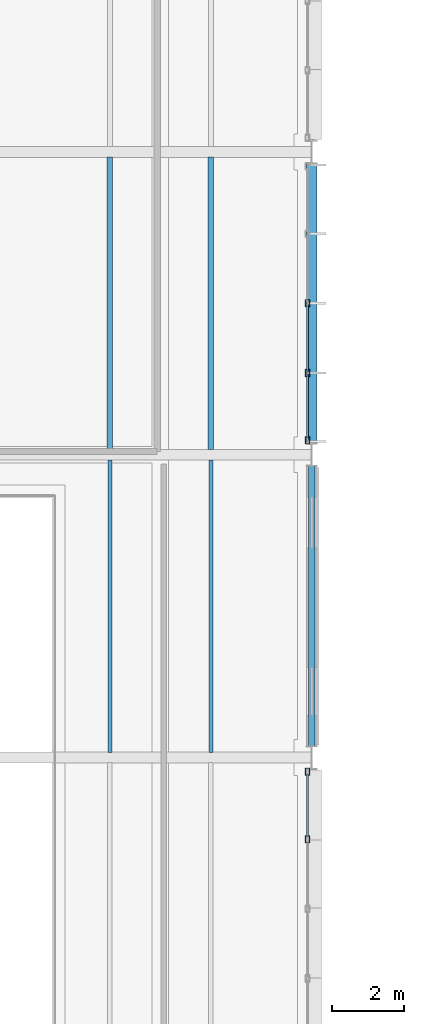
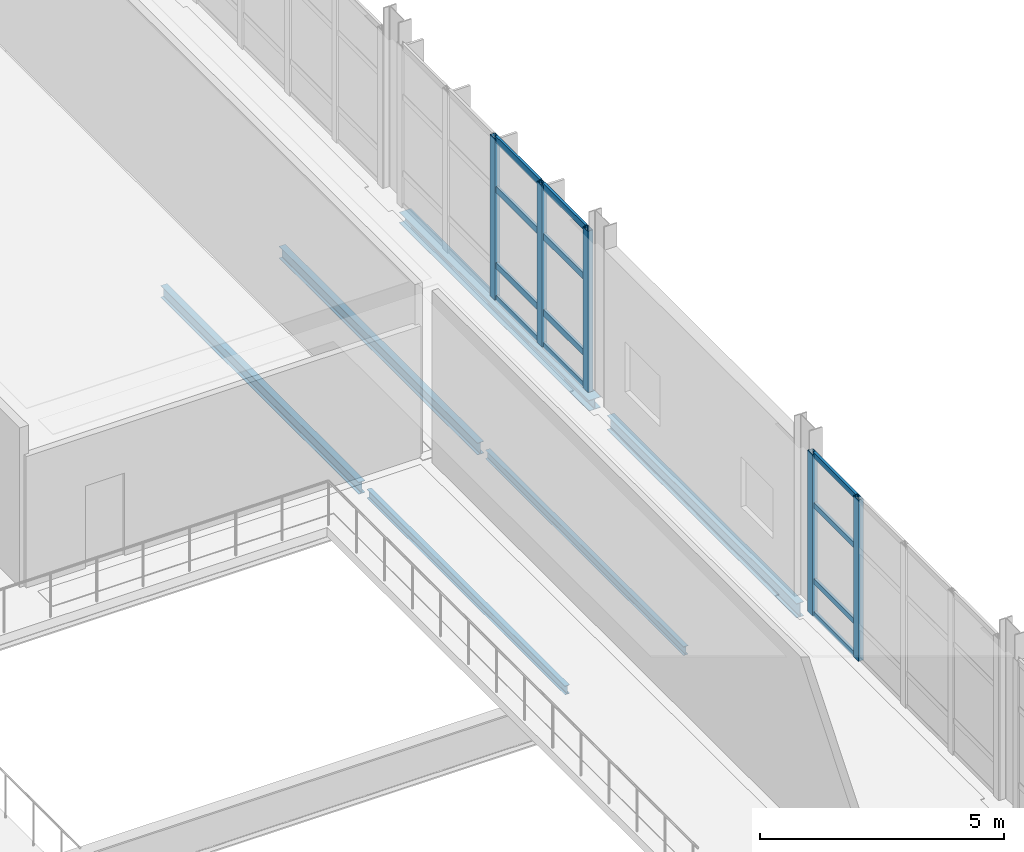
# One storey, part 47 of 129: 17 members, 6 beams, 2 elements without a shape of their own.
"""IFC4 building model written with IfcOpenShell, lengths in metres."""

import ifcopenshell
import ifcopenshell.guid

model = None  # the IFC model being written
_history = None  # IfcOwnerHistory: only IFC2X3 demands one
_inside = {}  # id of a spatial element -> (the spatial element, [elements in it])
_under = {}  # id of a project, library or spatial element -> (it, [spatial elements below it])
_declared = {}  # id of a project -> (the project, [libraries it declares])
_typed = {}  # id of a type object -> (the type object, [elements of that type])
_made_of = {}  # id of a material, layer set ... -> (it, [elements and type objects made of it])


def new_model(schema):
    """Start an empty IFC model of exactly this schema.

    Asked for "IFC4X3", IfcOpenShell would pick the latest addendum, in which some entities
    have other attributes; the version numbers below select the first issue.
    IFC2X3 requires an IfcOwnerHistory on every rooted entity: one is made here for all.
    """
    global model, _history
    if schema == "IFC4X3":
        model = ifcopenshell.file(schema_version=(4, 3, 0, 0))
    else:
        model = ifcopenshell.file(schema=schema)
    _inside.clear()
    _under.clear()
    _declared.clear()
    _typed.clear()
    _made_of.clear()
    _history = None
    if model.schema == "IFC2X3":
        org = make("IfcOrganization", Name="unknown")
        user = make(
            "IfcPersonAndOrganization",
            ThePerson=make("IfcPerson", FamilyName="unknown"),
            TheOrganization=org,
        )
        app = make(
            "IfcApplication",
            ApplicationDeveloper=org,
            Version="unknown",
            ApplicationFullName="unknown",
            ApplicationIdentifier="unknown",
        )
        _history = make(
            "IfcOwnerHistory",
            OwningUser=user,
            OwningApplication=app,
            ChangeAction="ADDED",
            CreationDate=0,
        )
    return model


def make(cls, **values):
    """One entity of the class cls with the attributes given. An attribute that is None is left unset."""
    return model.create_entity(
        cls, **{name: value for name, value in values.items() if value is not None}
    )


def rooted(cls, **values):
    """An entity with a GlobalId (a new one), such as an element, a storey or a relation."""
    return make(cls, GlobalId=ifcopenshell.guid.new(), OwnerHistory=_history, **values)


def si_unit(unit_type, name, prefix=None):
    """IfcSIUnit, for example si_unit("LENGTHUNIT", "METRE", prefix="MILLI")."""
    return make("IfcSIUnit", UnitType=unit_type, Prefix=prefix, Name=name)


def assignment(units):
    """IfcUnitAssignment: the units of a project."""
    return None if units is None else make("IfcUnitAssignment", Units=units)


def point(xyz):
    """IfcCartesianPoint."""
    return None if xyz is None else make("IfcCartesianPoint", Coordinates=xyz)


def direction(xyz):
    """IfcDirection."""
    return None if xyz is None else make("IfcDirection", DirectionRatios=xyz)


def frame(location, z_axis=None, x_axis=None):
    """IfcAxis2Placement3D, a coordinate frame: its origin and axes. An axis left out is left unset."""
    return make(
        "IfcAxis2Placement3D",
        Location=point(location),
        Axis=direction(z_axis),
        RefDirection=direction(x_axis),
    )


def frame_2d(location, x_axis=None):
    """IfcAxis2Placement2D, a coordinate frame in the plane: its origin and x axis."""
    return make(
        "IfcAxis2Placement2D", Location=point(location), RefDirection=direction(x_axis)
    )


def origin():
    """The frame at (0, 0, 0) with its axes left unset."""
    return frame((0.0, 0.0, 0.0))


def origin_2d():
    """The frame at (0, 0) in the plane with its x axis left unset."""
    return frame_2d((0.0, 0.0))


def place(relative_to, where):
    """IfcLocalPlacement: puts the frame where relative to a parent placement (None: the world)."""
    return make(
        "IfcLocalPlacement", PlacementRelTo=relative_to, RelativePlacement=where
    )


def context(
    kind, dimensions, precision=None, world=None, true_north=None, identifier=None
):
    """IfcGeometricRepresentationContext, for example the 3D "Model" context."""
    return make(
        "IfcGeometricRepresentationContext",
        ContextIdentifier=identifier,
        ContextType=kind,
        CoordinateSpaceDimension=dimensions,
        Precision=precision,
        WorldCoordinateSystem=world,
        TrueNorth=true_north,
    )


def subcontext(parent, identifier, kind, view, scale=None):
    """IfcGeometricRepresentationSubContext, for example "Body" below "Model"."""
    return make(
        "IfcGeometricRepresentationSubContext",
        ContextIdentifier=identifier,
        ContextType=kind,
        ParentContext=parent,
        TargetScale=scale,
        TargetView=view,
    )


def project(units=None, contexts=None):
    """IfcProject with its units and contexts."""
    return rooted(
        "IfcProject",
        Name="project",
        RepresentationContexts=contexts,
        UnitsInContext=assignment(units),
    )


def spatial(cls, under=None, at=None, **own):
    """A site, building, storey or space (cls), placed at a placement, below another one or the project."""
    s = rooted(cls, ObjectPlacement=at, **own)
    if under is not None:
        _under.setdefault(under.id(), (under, []))[1].append(s)
    return s


def profile(cls, at=None, kind="AREA", **sizes):
    """A parametric profile (cls). Its sizes go by their IFC names, for example OverallWidth=200.0."""
    return make(cls, ProfileType=kind, Position=at, **sizes)


def hollow_rectangle(**sizes):
    """IfcRectangleHollowProfileDef."""
    return profile("IfcRectangleHollowProfileDef", **sizes)


def i_section(**sizes):
    """IfcIShapeProfileDef."""
    return profile("IfcIShapeProfileDef", **sizes)


def extrude(swept, where, along, depth):
    """IfcExtrudedAreaSolid: the profile swept, set in the frame where, extruded along a direction by depth."""
    return make(
        "IfcExtrudedAreaSolid",
        SweptArea=swept,
        Position=where,
        ExtrudedDirection=direction(along),
        Depth=depth,
    )


def shape(context_of_items, identifier, shape_type, items):
    """IfcShapeRepresentation: the items that make up one representation, for example the "Body"."""
    return make(
        "IfcShapeRepresentation",
        ContextOfItems=context_of_items,
        RepresentationIdentifier=identifier,
        RepresentationType=shape_type,
        Items=items,
    )


def material(Name=None, Category=None):
    """IfcMaterial."""
    return make("IfcMaterial", Name=Name, Category=Category)


def material_profile(
    of_material, cross_section, Name=None, Category=None, Priority=None
):
    """IfcMaterialProfile: a cross section and its material."""
    return make(
        "IfcMaterialProfile",
        Name=Name,
        Material=of_material,
        Profile=cross_section,
        Priority=Priority,
        Category=Category,
    )


def profile_set(profiles, Name=None, composite=None):
    """IfcMaterialProfileSet."""
    return make(
        "IfcMaterialProfileSet",
        Name=Name,
        MaterialProfiles=profiles,
        CompositeProfile=composite,
    )


def made_of(thing, what):
    """Note that an element or type object is made of a material, layer set ...; save() writes the relation."""
    if what is not None:
        _made_of.setdefault(what.id(), (what, []))[1].append(thing)
    return thing


def type_object(cls, material=None, **own):
    """A type object (cls), such as IfcWallType, which elements share."""
    return made_of(rooted(cls, **own), material)


def element(
    cls,
    number,
    at=None,
    inside=None,
    cuts=None,
    type_object=None,
    material=None,
    context=None,
    identifier="Body",
    shape_type=None,
    held_by="IfcProductDefinitionShape",
    body=None,
    shapes=None,
    **own,
):
    """One element of the class cls, such as IfcWall. Its Tag is "e" and its number.

    at: its placement. inside: the storey or other place that contains it. cuts: it is an
    opening in that element (IfcRelVoidsElement). A single representation is given by context,
    identifier, shape_type and body (its items); several are given by shapes. held_by: the class
    of the entity that holds the representations. save() writes the other relations.
    """
    e = rooted(cls, Tag="e%d" % number, ObjectPlacement=at, **own)
    if body is not None:
        shapes = [shape(context, identifier, shape_type, body)]
    if shapes is not None:
        e.Representation = make(held_by, Representations=shapes)
    if inside is not None:
        _inside.setdefault(inside.id(), (inside, []))[1].append(e)
    if cuts is not None:
        rooted(
            "IfcRelVoidsElement", RelatingBuildingElement=cuts, RelatedOpeningElement=e
        )
    if type_object is not None:
        _typed.setdefault(type_object.id(), (type_object, []))[1].append(e)
    return made_of(e, material)


def aggregate(whole, parts):
    """IfcRelAggregates: a whole, such as a stair, and the parts it consists of."""
    return rooted("IfcRelAggregates", RelatingObject=whole, RelatedObjects=parts)


def save(model, path):
    """Write the relations noted so far, then the file.

    IfcRelAggregates (storeys below a building ...), IfcRelContainedInSpatialStructure (elements
    in a storey), IfcRelDefinesByType, IfcRelAssociatesMaterial and IfcRelDeclares: one each for
    every whole, place, type object, material and project.
    """
    for whole, parts in _under.values():
        aggregate(whole, parts)
    for where, things in _inside.values():
        rooted(
            "IfcRelContainedInSpatialStructure",
            RelatedElements=things,
            RelatingStructure=where,
        )
    for kind, things in _typed.values():
        rooted("IfcRelDefinesByType", RelatedObjects=things, RelatingType=kind)
    for what, things in _made_of.values():
        rooted("IfcRelAssociatesMaterial", RelatedObjects=things, RelatingMaterial=what)
    for by, libraries in _declared.values():
        rooted("IfcRelDeclares", RelatingContext=by, RelatedDefinitions=libraries)
    model.write(path)


model = new_model("IFC4")

# Units and contexts
model_context = context("Model", 3, precision=1e-05, world=origin(), true_north=direction((0.0, 1.0)))
body_context = subcontext(model_context, "Body", "Model", "MODEL_VIEW")
ifc_project = project(units=[si_unit("LENGTHUNIT", "METRE"), si_unit("AREAUNIT", "SQUARE_METRE"), si_unit("VOLUMEUNIT", "CUBIC_METRE"), si_unit("PLANEANGLEUNIT", "RADIAN"), si_unit("MASSUNIT", "GRAM", prefix="KILO")], contexts=[model_context])

# Site, building, storey
site_placement = place(None, origin())
site = spatial("IfcSite", under=ifc_project, at=site_placement, CompositionType="ELEMENT")
building_placement = place(site_placement, origin())
building = spatial("IfcBuilding", under=site, at=building_placement, Name="Mersafa Astral City Hall", CompositionType="ELEMENT")
storey_placement = place(building_placement, frame((0.0, 0.0, 5.39990234375)))
storey = spatial("IfcBuildingStorey", under=building, at=storey_placement, Name="L01", CompositionType="ELEMENT", Elevation=5.39990234375)

# Curtain wall, members
ifc_material_1 = material(Name="Anodised bronze aluminium framing", Category="aluminium")
curtain_wall_type_1 = type_object("IfcCurtainWallType", Name="ENV-CW-2", PredefinedType="USERDEFINED", material=ifc_material_1)
curtain_wall_1_placement = place(storey_placement, origin())
curtain_wall_1 = element("IfcCurtainWall", 1, at=curtain_wall_1_placement, inside=storey, type_object=curtain_wall_type_1, Name="L01 Unitised solar curtain wall 55", ObjectType="UNITISED CURTAIN WALL", PredefinedType="USERDEFINED")
ifc_material_profile_1 = material_profile(ifc_material_1, hollow_rectangle(XDim=0.1201171875, YDim=0.199951171875, WallThickness=0.008056640625, at=origin_2d()), Name="RHS 120x200x8")
ifc_profile_set_1 = profile_set([ifc_material_profile_1], Name="Anodised bronze aluminium framing")
member_type_1 = type_object("IfcMemberType", Name="ENV-CW-MUL-2", PredefinedType="MULLION", material=ifc_profile_set_1)
member_1_placement = place(storey_placement, frame((117.47998046875, 64.931396484375, -0.001953125), z_axis=(0.0, 0.0, 1.0), x_axis=(-1.0, 0.0, 0.0)))
member_1 = element("IfcMember", 2, at=member_1_placement, type_object=member_type_1, Name="CW-2 mullion 4", PredefinedType="MULLION", context=body_context, shape_type="SweptSolid", body=[
    extrude(hollow_rectangle(XDim=0.1201171875, YDim=0.199951171875, WallThickness=0.008056640625, at=origin_2d()), origin(), (0.0, 0.0, 1.0), 4.029052734375),
])
member_2_placement = place(storey_placement, frame((117.47998046875, 66.802978515625, -0.001953125), z_axis=(0.0, 0.0, 1.0), x_axis=(-1.0, 0.0, 0.0)))
member_2 = element("IfcMember", 3, at=member_2_placement, type_object=member_type_1, Name="CW-2 mullion 5", PredefinedType="MULLION", context=body_context, shape_type="SweptSolid", body=[
    extrude(hollow_rectangle(XDim=0.1201171875, YDim=0.199951171875, WallThickness=0.008056640625, at=origin_2d()), origin(), (0.0, 0.0, 1.0), 4.029052734375),
])

curtain_wall_type_2 = type_object("IfcCurtainWallType", Name="ENV-CW-3", PredefinedType="USERDEFINED", material=ifc_material_1)
curtain_wall_2_placement = place(storey_placement, origin())
curtain_wall_2 = element("IfcCurtainWall", 4, at=curtain_wall_2_placement, inside=storey, type_object=curtain_wall_type_2, Name="L01 Unitised solar curtain wall 56", ObjectType="UNITISED CURTAIN WALL", PredefinedType="USERDEFINED")
member_3_placement = place(storey_placement, frame((117.47998046875, 75.9970703125, -0.001953125), z_axis=(0.0, 0.0, 1.0), x_axis=(-1.0, 0.0, 0.0)))
member_3 = element("IfcMember", 5, at=member_3_placement, type_object=member_type_1, Name="CW-3 mullion 1", PredefinedType="MULLION", context=body_context, shape_type="SweptSolid", body=[
    extrude(hollow_rectangle(XDim=0.1201171875, YDim=0.199951171875, WallThickness=0.008056640625, at=origin_2d()), origin(), (0.0, 0.0, 1.0), 4.029052734375),
])
member_4_placement = place(storey_placement, frame((117.47998046875, 77.868408203125, -0.001953125), z_axis=(0.0, 0.0, 1.0), x_axis=(-1.0, 0.0, 0.0)))
member_4 = element("IfcMember", 6, at=member_4_placement, type_object=member_type_1, Name="CW-3 mullion 2", PredefinedType="MULLION", context=body_context, shape_type="SweptSolid", body=[
    extrude(hollow_rectangle(XDim=0.1201171875, YDim=0.199951171875, WallThickness=0.008056640625, at=origin_2d()), origin(), (0.0, 0.0, 1.0), 4.029052734375),
])
member_5_placement = place(storey_placement, frame((117.47998046875, 79.800048828125, -0.001953125), z_axis=(0.0, 0.0, 1.0), x_axis=(-1.0, 0.0, 0.0)))
member_5 = element("IfcMember", 7, at=member_5_placement, type_object=member_type_1, Name="CW-3 mullion 3", PredefinedType="MULLION", context=body_context, shape_type="SweptSolid", body=[
    extrude(hollow_rectangle(XDim=0.1201171875, YDim=0.199951171875, WallThickness=0.008056640625, at=origin_2d()), origin(), (0.0, 0.0, 1.0), 4.029052734375),
])

# Member
ifc_material_profile_2 = material_profile(ifc_material_1, hollow_rectangle(XDim=0.06005859375, YDim=0.139892578125, WallThickness=0.00390625, at=origin_2d()), Name="RHS 60x140x4")
ifc_profile_set_2 = profile_set([ifc_material_profile_2], Name="Anodised bronze aluminium framing")
member_type_2 = type_object("IfcMemberType", Name="ENV-CW-TRN-1", PredefinedType="USERDEFINED", material=ifc_profile_set_2)
member_6_placement = place(storey_placement, frame((117.47998046875, 64.991455078125, 0.028076171875), z_axis=(0.0, 1.0, 0.0), x_axis=(-1.0, 0.0, 0.0)))
member_6 = element("IfcMember", 8, at=member_6_placement, type_object=member_type_2, Name="CW-2 transom 4.1", ObjectType="TRANSOM", PredefinedType="USERDEFINED", context=body_context, shape_type="SweptSolid", body=[
    extrude(hollow_rectangle(XDim=0.06005859375, YDim=0.139892578125, WallThickness=0.00390625, at=origin_2d()), origin(), (0.0, 0.0, 1.0), 1.75146484375),
])

member_7_placement = place(storey_placement, frame((117.47998046875, 64.991455078125, 0.85009765625), z_axis=(0.0, 1.0, 0.0), x_axis=(-1.0, 0.0, 0.0)))
member_7 = element("IfcMember", 9, at=member_7_placement, type_object=member_type_2, Name="CW-2 transom 4.2", ObjectType="TRANSOM", PredefinedType="USERDEFINED", context=body_context, shape_type="SweptSolid", body=[
    extrude(hollow_rectangle(XDim=0.06005859375, YDim=0.139892578125, WallThickness=0.00390625, at=origin_2d()), origin(), (0.0, 0.0, 1.0), 1.75146484375),
])

member_8_placement = place(storey_placement, frame((117.47998046875, 64.991455078125, 2.75), z_axis=(0.0, 1.0, 0.0), x_axis=(-1.0, 0.0, 0.0)))
member_8 = element("IfcMember", 10, at=member_8_placement, type_object=member_type_2, Name="CW-2 transom 4.3", ObjectType="TRANSOM", PredefinedType="USERDEFINED", context=body_context, shape_type="SweptSolid", body=[
    extrude(hollow_rectangle(XDim=0.06005859375, YDim=0.139892578125, WallThickness=0.00390625, at=origin_2d()), origin(), (0.0, 0.0, 1.0), 1.75146484375),
])

member_9_placement = place(storey_placement, frame((117.47998046875, 64.991455078125, 3.9970703125), z_axis=(0.0, 1.0, 0.0), x_axis=(-1.0, 0.0, 0.0)))
member_9 = element("IfcMember", 11, at=member_9_placement, type_object=member_type_2, Name="CW-2 transom 4.4", ObjectType="TRANSOM", PredefinedType="USERDEFINED", context=body_context, shape_type="SweptSolid", body=[
    extrude(hollow_rectangle(XDim=0.06005859375, YDim=0.139892578125, WallThickness=0.00390625, at=origin_2d()), origin(), (0.0, 0.0, 1.0), 1.75146484375),
])

aggregate(curtain_wall_1, [member_1, member_2, member_6, member_7, member_8, member_9])

ifc_material_profile_3 = material_profile(ifc_material_1, hollow_rectangle(XDim=0.06005859375, YDim=0.159912109375, WallThickness=0.00390625, at=origin_2d()), Name="RHS 60x160x4")
ifc_profile_set_3 = profile_set([ifc_material_profile_3], Name="Anodised bronze aluminium framing")
member_type_3 = type_object("IfcMemberType", Name="ENV-CW-TRN-2", PredefinedType="USERDEFINED", material=ifc_profile_set_3)
member_10_placement = place(storey_placement, frame((117.47998046875, 76.056884765625, 0.028076171875), z_axis=(0.0, 1.0, 0.0), x_axis=(-1.0, 0.0, 0.0)))
member_10 = element("IfcMember", 12, at=member_10_placement, type_object=member_type_3, Name="CW-3 transom 1.1", ObjectType="TRANSOM", PredefinedType="USERDEFINED", context=body_context, shape_type="SweptSolid", body=[
    extrude(hollow_rectangle(XDim=0.06005859375, YDim=0.159912109375, WallThickness=0.00390625, at=origin_2d()), origin(), (0.0, 0.0, 1.0), 1.751708984375),
])

member_11_placement = place(storey_placement, frame((117.47998046875, 76.056884765625, 0.85009765625), z_axis=(0.0, 1.0, 0.0), x_axis=(-1.0, 0.0, 0.0)))
member_11 = element("IfcMember", 13, at=member_11_placement, type_object=member_type_3, Name="CW-3 transom 1.2", ObjectType="TRANSOM", PredefinedType="USERDEFINED", context=body_context, shape_type="SweptSolid", body=[
    extrude(hollow_rectangle(XDim=0.06005859375, YDim=0.159912109375, WallThickness=0.00390625, at=origin_2d()), origin(), (0.0, 0.0, 1.0), 1.751708984375),
])

member_12_placement = place(storey_placement, frame((117.47998046875, 76.056884765625, 2.75), z_axis=(0.0, 1.0, 0.0), x_axis=(-1.0, 0.0, 0.0)))
member_12 = element("IfcMember", 14, at=member_12_placement, type_object=member_type_3, Name="CW-3 transom 1.3", ObjectType="TRANSOM", PredefinedType="USERDEFINED", context=body_context, shape_type="SweptSolid", body=[
    extrude(hollow_rectangle(XDim=0.06005859375, YDim=0.159912109375, WallThickness=0.00390625, at=origin_2d()), origin(), (0.0, 0.0, 1.0), 1.751708984375),
])

member_13_placement = place(storey_placement, frame((117.47998046875, 76.056884765625, 3.9970703125), z_axis=(0.0, 1.0, 0.0), x_axis=(-1.0, 0.0, 0.0)))
member_13 = element("IfcMember", 15, at=member_13_placement, type_object=member_type_3, Name="CW-3 transom 1.4", ObjectType="TRANSOM", PredefinedType="USERDEFINED", context=body_context, shape_type="SweptSolid", body=[
    extrude(hollow_rectangle(XDim=0.06005859375, YDim=0.159912109375, WallThickness=0.00390625, at=origin_2d()), origin(), (0.0, 0.0, 1.0), 1.751708984375),
])

member_14_placement = place(storey_placement, frame((117.47998046875, 77.928466796875, 0.028076171875), z_axis=(0.0, 1.0, 0.0), x_axis=(-1.0, 0.0, 0.0)))
member_14 = element("IfcMember", 16, at=member_14_placement, type_object=member_type_3, Name="CW-3 transom 2.1", ObjectType="TRANSOM", PredefinedType="USERDEFINED", context=body_context, shape_type="SweptSolid", body=[
    extrude(hollow_rectangle(XDim=0.06005859375, YDim=0.159912109375, WallThickness=0.00390625, at=origin_2d()), origin(), (0.0, 0.0, 1.0), 1.8115234375),
])

member_15_placement = place(storey_placement, frame((117.47998046875, 77.928466796875, 0.85009765625), z_axis=(0.0, 1.0, 0.0), x_axis=(-1.0, 0.0, 0.0)))
member_15 = element("IfcMember", 17, at=member_15_placement, type_object=member_type_3, Name="CW-3 transom 2.2", ObjectType="TRANSOM", PredefinedType="USERDEFINED", context=body_context, shape_type="SweptSolid", body=[
    extrude(hollow_rectangle(XDim=0.06005859375, YDim=0.159912109375, WallThickness=0.00390625, at=origin_2d()), origin(), (0.0, 0.0, 1.0), 1.8115234375),
])

member_16_placement = place(storey_placement, frame((117.47998046875, 77.928466796875, 2.75), z_axis=(0.0, 1.0, 0.0), x_axis=(-1.0, 0.0, 0.0)))
member_16 = element("IfcMember", 18, at=member_16_placement, type_object=member_type_3, Name="CW-3 transom 2.3", ObjectType="TRANSOM", PredefinedType="USERDEFINED", context=body_context, shape_type="SweptSolid", body=[
    extrude(hollow_rectangle(XDim=0.06005859375, YDim=0.159912109375, WallThickness=0.00390625, at=origin_2d()), origin(), (0.0, 0.0, 1.0), 1.8115234375),
])

member_17_placement = place(storey_placement, frame((117.47998046875, 77.928466796875, 3.9970703125), z_axis=(0.0, 1.0, 0.0), x_axis=(-1.0, 0.0, 0.0)))
member_17 = element("IfcMember", 19, at=member_17_placement, type_object=member_type_3, Name="CW-3 transom 2.4", ObjectType="TRANSOM", PredefinedType="USERDEFINED", context=body_context, shape_type="SweptSolid", body=[
    extrude(hollow_rectangle(XDim=0.06005859375, YDim=0.159912109375, WallThickness=0.00390625, at=origin_2d()), origin(), (0.0, 0.0, 1.0), 1.8115234375),
])

aggregate(curtain_wall_2, [member_3, member_4, member_5, member_10, member_11, member_12, member_13, member_14, member_15, member_16, member_17])

# Beams
ifc_material_2 = material(Name="Steel S355", Category="steel")
ifc_material_profile_4 = material_profile(ifc_material_2, i_section(OverallWidth=0.110107421875, OverallDepth=0.219970703125, WebThickness=0.005859375, FlangeThickness=0.00927734375, FilletRadius=0.011962890625, at=origin_2d()), Name="IPE 220")
ifc_profile_set_4 = profile_set([ifc_material_profile_4], Name="Steel S355")
beam_type_1 = type_object("IfcBeamType", Name="STR-BM-JOIST-IPE220", PredefinedType="JOIST", material=ifc_profile_set_4)
for number, where, z_axis, x_axis, name in (
    (20, (112.0, 67.344970703125, -0.3349609375), (0.0, 1.0, 0.0), (-1.0, 0.0, 0.0), "L01 Composite secondary floor joist 318"),
    (21, (114.800048828125, 67.344970703125, -0.3349609375), (0.0, 1.0, 0.0), (-1.0, 0.0, 0.0), "L01 Composite secondary floor joist 319"),
):
    element("IfcBeam", number, at=place(storey_placement, frame(where, z_axis=z_axis, x_axis=x_axis)), inside=storey, type_object=beam_type_1, Name=name, PredefinedType="JOIST", context=body_context, shape_type="SweptSolid", body=[
        extrude(i_section(OverallWidth=0.110107421875, OverallDepth=0.219970703125, WebThickness=0.005859375, FlangeThickness=0.00927734375, FilletRadius=0.011962890625, at=origin_2d()), origin(), (0.0, 0.0, 1.0), 8.110107421875),
    ])
ifc_material_profile_5 = material_profile(ifc_material_2, i_section(OverallWidth=0.14990234375, OverallDepth=0.300048828125, WebThickness=0.007080078125, FlangeThickness=0.0107421875, FilletRadius=0.014892578125, at=origin_2d()), Name="IPE 300")
ifc_profile_set_5 = profile_set([ifc_material_profile_5], Name="Steel S355")
beam_type_2 = type_object("IfcBeamType", Name="STR-BM-JOIST-IPE300", PredefinedType="JOIST", material=ifc_profile_set_5)
for number, where, z_axis, x_axis, name in (
    (22, (112.0, 75.7451171875, -0.375), (0.0, 1.0, 0.0), (-1.0, 0.0, 0.0), "L01 Composite secondary floor joist 320"),
    (23, (114.800048828125, 75.7451171875, -0.375), (0.0, 1.0, 0.0), (-1.0, 0.0, 0.0), "L01 Composite secondary floor joist 321"),
):
    element("IfcBeam", number, at=place(storey_placement, frame(where, z_axis=z_axis, x_axis=x_axis)), inside=storey, type_object=beam_type_2, Name=name, PredefinedType="JOIST", context=body_context, shape_type="SweptSolid", body=[
        extrude(i_section(OverallWidth=0.14990234375, OverallDepth=0.300048828125, WebThickness=0.007080078125, FlangeThickness=0.0107421875, FilletRadius=0.014892578125, at=origin_2d()), origin(), (0.0, 0.0, 1.0), 8.10986328125),
    ])
ifc_material_profile_6 = material_profile(ifc_material_2, i_section(OverallWidth=0.280029296875, OverallDepth=0.27001953125, WebThickness=0.008056640625, FlangeThickness=0.012939453125, FilletRadius=0.02392578125, at=origin_2d()), Name="HEA 280")
ifc_profile_set_6 = profile_set([ifc_material_profile_6], Name="Steel S355")
beam_type_3 = type_object("IfcBeamType", Name="STR-BM-SPANDREL-HEA280", PredefinedType="SPANDREL", material=ifc_profile_set_6)
beam_1_placement = place(storey_placement, frame((117.60009765625, 75.919921875, -0.35986328125), z_axis=(0.0, 1.0, 0.0), x_axis=(-1.0, 0.0, 0.0)))
element("IfcBeam", 24, at=beam_1_placement, inside=storey, type_object=beam_type_3, Name="L01 Primary girder Y 14-9", PredefinedType="SPANDREL", context=body_context, shape_type="SweptSolid", body=[
    extrude(i_section(OverallWidth=0.280029296875, OverallDepth=0.27001953125, WebThickness=0.008056640625, FlangeThickness=0.012939453125, FilletRadius=0.02392578125, at=origin_2d()), origin(), (0.0, 0.0, 1.0), 7.760009765625),
])
ifc_material_profile_7 = material_profile(ifc_material_2, i_section(OverallWidth=0.169921875, OverallDepth=0.360107421875, WebThickness=0.008056640625, FlangeThickness=0.0126953125, FilletRadius=0.01806640625, at=origin_2d()), Name="IPE 360")
ifc_profile_set_7 = profile_set([ifc_material_profile_7], Name="Steel S355")
beam_type_4 = type_object("IfcBeamType", Name="STR-BM-SPANDREL-IPE360", PredefinedType="SPANDREL", material=ifc_profile_set_7)
beam_2_placement = place(storey_placement, frame((117.60009765625, 67.52001953125, -0.40478515625), z_axis=(0.0, 1.0, 0.0), x_axis=(-1.0, 0.0, 0.0)))
element("IfcBeam", 25, at=beam_2_placement, inside=storey, type_object=beam_type_4, Name="L01 Primary girder Y 14-8", PredefinedType="SPANDREL", context=body_context, shape_type="SweptSolid", body=[
    extrude(i_section(OverallWidth=0.169921875, OverallDepth=0.360107421875, WebThickness=0.008056640625, FlangeThickness=0.0126953125, FilletRadius=0.01806640625, at=origin_2d()), origin(), (0.0, 0.0, 1.0), 7.760009765625),
])

save(model, "model.ifc")
